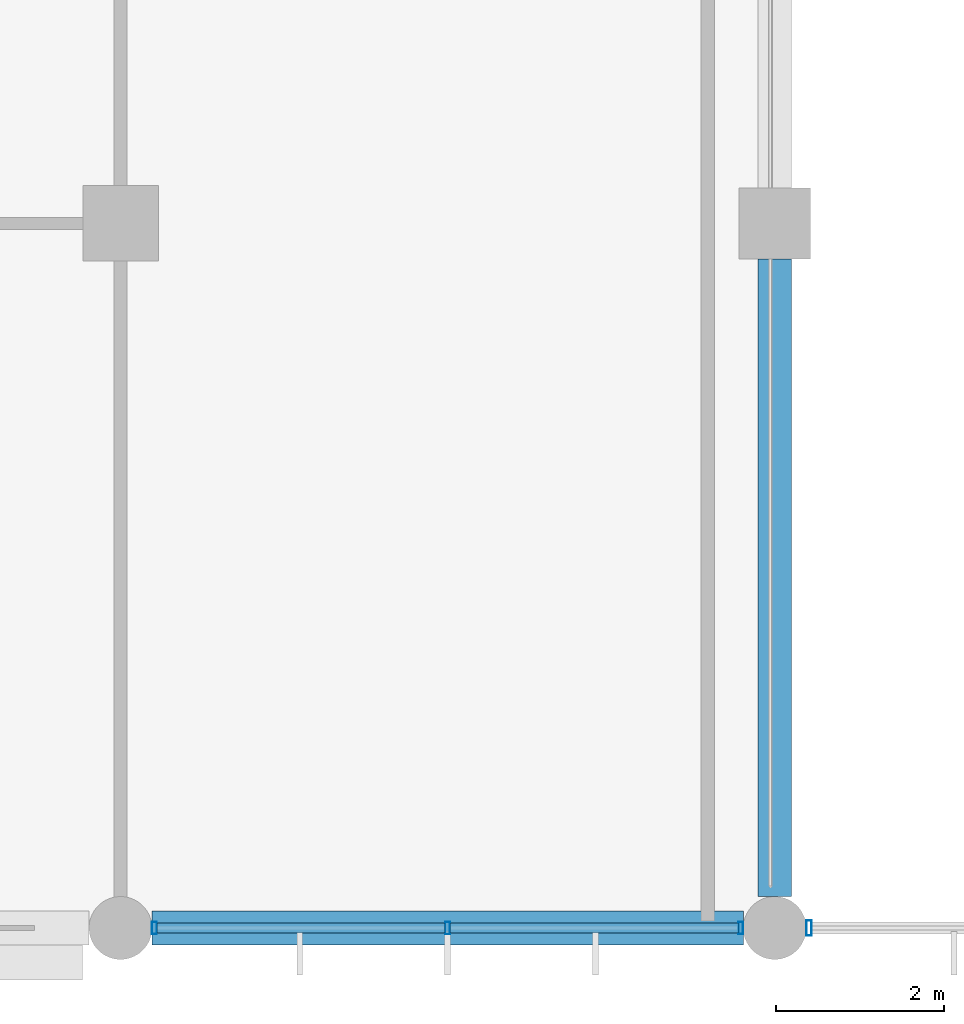
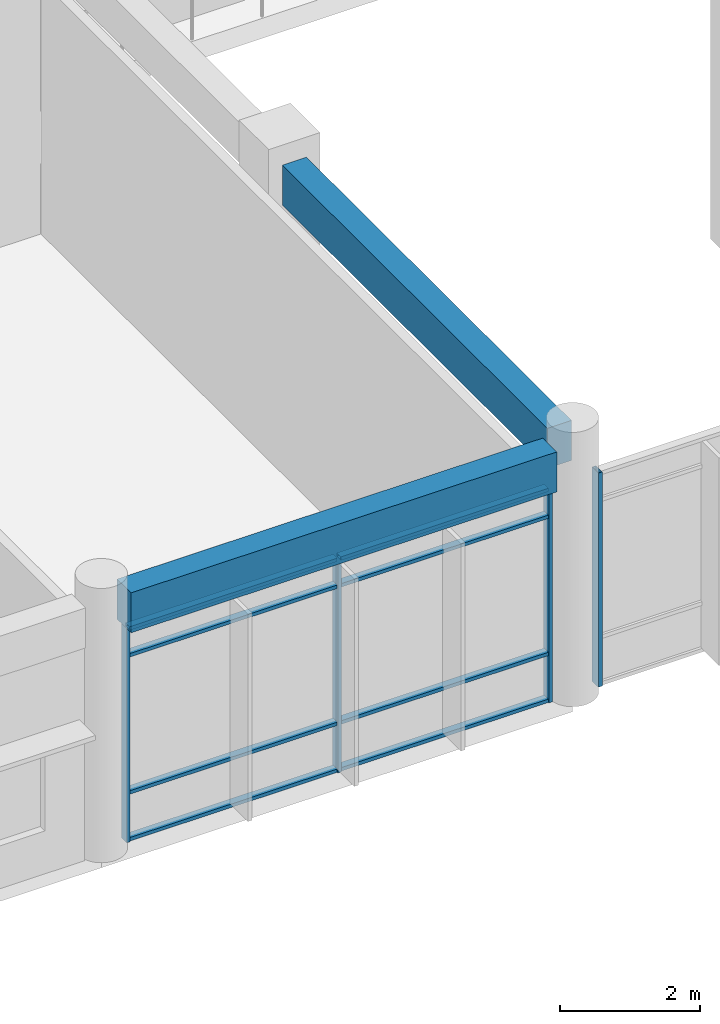
# One storey, part 3 of 79: 12 members, 2 beams, 2 elements without a shape of their own.
"""IFC4 building model written with IfcOpenShell, lengths in metres."""

from ifc_helpers import new_model, si_unit, direction, frame, origin, origin_2d, place, context, subcontext, project, spatial, rectangle, hollow_rectangle, extrude, material, material_profile, profile_set, type_object, element, aggregate, save


model = new_model("IFC4")

# Units and contexts
model_context = context("Model", 3, precision=1e-05, world=origin(), true_north=direction((0.0, 1.0)))
body_context = subcontext(model_context, "Body", "Model", "MODEL_VIEW")
ifc_project = project(units=[si_unit("LENGTHUNIT", "METRE"), si_unit("AREAUNIT", "SQUARE_METRE"), si_unit("VOLUMEUNIT", "CUBIC_METRE"), si_unit("PLANEANGLEUNIT", "RADIAN"), si_unit("MASSUNIT", "GRAM", prefix="KILO"), si_unit("THERMODYNAMICTEMPERATUREUNIT", "KELVIN"), si_unit("POWERUNIT", "WATT")], contexts=[model_context])

# Site, building, storey
site_placement = place(None, origin())
site = spatial("IfcSite", under=ifc_project, at=site_placement, CompositionType="ELEMENT")
building_placement = place(site_placement, origin())
building = spatial("IfcBuilding", under=site, at=building_placement, Name="Srebrne Nadtorze General Hospital", CompositionType="ELEMENT")
storey_placement = place(building_placement, frame((0.0, 0.0, 4.800048828125)))
storey = spatial("IfcBuildingStorey", under=building, at=storey_placement, Name="L01", CompositionType="ELEMENT", Elevation=4.800048828125)

# Curtain wall, members
ifc_material_1 = material(Name="Anodised Aluminium", Category="aluminium")
curtain_wall_type = type_object("IfcCurtainWallType", Name="Unitised curtain wall 7050x3750", PredefinedType="NOTDEFINED", material=ifc_material_1)
curtain_wall_1_placement = place(storey_placement, origin())
curtain_wall_1 = element("IfcCurtainWall", 1, at=curtain_wall_1_placement, inside=storey, type_object=curtain_wall_type, Name="Curtain wall CW-030", PredefinedType="NOTDEFINED")
ifc_material_2 = material(Name="Anodised Aluminium", Category="aluminium")
ifc_material_profile_1 = material_profile(ifc_material_2, hollow_rectangle(XDim=0.06005859375, YDim=0.14990234375, WallThickness=0.00390625, at=origin_2d()), Name="AL-MUL-60x150")
ifc_profile_set_1 = profile_set([ifc_material_profile_1], Name="Anodised Aluminium")
member_type_1 = type_object("IfcMemberType", Name="Curtain mullion 60x150", PredefinedType="MULLION", material=ifc_profile_set_1)
member_1_placement = place(storey_placement, frame((55.0048828125, 0.0, 0.0), z_axis=(0.0, 0.0, 1.0), x_axis=(1.0, 0.0, 0.0)))
member_1 = element("IfcMember", 2, at=member_1_placement, type_object=member_type_1, Name="CW-030 mullion 1", PredefinedType="MULLION", context=body_context, shape_type="SweptSolid", body=[
    extrude(hollow_rectangle(XDim=0.06005859375, YDim=0.14990234375, WallThickness=0.00390625, at=origin_2d()), origin(), (0.0, 0.0, 1.0), 3.75),
])
member_2_placement = place(storey_placement, frame((58.5, 0.0, 0.0), z_axis=(0.0, 0.0, 1.0), x_axis=(1.0, 0.0, 0.0)))
member_2 = element("IfcMember", 3, at=member_2_placement, type_object=member_type_1, Name="CW-030 mullion 2", PredefinedType="MULLION", context=body_context, shape_type="SweptSolid", body=[
    extrude(hollow_rectangle(XDim=0.06005859375, YDim=0.14990234375, WallThickness=0.00390625, at=origin_2d()), origin(), (0.0, 0.0, 1.0), 3.75),
])
member_3_placement = place(storey_placement, frame((61.9951171875, 0.0, 0.0), z_axis=(0.0, 0.0, 1.0), x_axis=(1.0, 0.0, 0.0)))
member_3 = element("IfcMember", 4, at=member_3_placement, type_object=member_type_1, Name="CW-030 mullion 3", PredefinedType="MULLION", context=body_context, shape_type="SweptSolid", body=[
    extrude(hollow_rectangle(XDim=0.06005859375, YDim=0.14990234375, WallThickness=0.00390625, at=origin_2d()), origin(), (0.0, 0.0, 1.0), 3.75),
])

# Curtain wall, member
curtain_wall_2_placement = place(storey_placement, origin())
curtain_wall_2 = element("IfcCurtainWall", 5, at=curtain_wall_2_placement, inside=storey, type_object=curtain_wall_type, Name="Curtain wall CW-031", PredefinedType="NOTDEFINED")
ifc_material_3 = material(Name="Anodised Aluminium", Category="aluminium")
ifc_material_profile_2 = material_profile(ifc_material_3, hollow_rectangle(XDim=0.06494140625, YDim=0.179931640625, WallThickness=0.00390625, at=origin_2d()), Name="AL-MUL-65x180")
ifc_profile_set_2 = profile_set([ifc_material_profile_2], Name="Anodised Aluminium")
member_type_2 = type_object("IfcMemberType", Name="Curtain mullion 65x180", PredefinedType="MULLION", material=ifc_profile_set_2)
member_4_placement = place(storey_placement, frame((62.8076171875, 0.0, 0.0), z_axis=(0.0, 0.0, 1.0), x_axis=(1.0, 0.0, 0.0)))
member_4 = element("IfcMember", 6, at=member_4_placement, type_object=member_type_2, Name="CW-031 mullion 1", PredefinedType="MULLION", context=body_context, shape_type="SweptSolid", body=[
    extrude(hollow_rectangle(XDim=0.06494140625, YDim=0.179931640625, WallThickness=0.00390625, at=origin_2d()), origin(), (0.0, 0.0, 1.0), 3.75),
])
aggregate(curtain_wall_2, [member_4])

# Member
ifc_material_4 = material(Name="Anodised Aluminium", Category="aluminium")
ifc_material_profile_3 = material_profile(ifc_material_4, hollow_rectangle(XDim=0.06005859375, YDim=0.1201171875, WallThickness=0.00390625, at=origin_2d()), Name="AL-TRN-60x120")
ifc_profile_set_3 = profile_set([ifc_material_profile_3], Name="Anodised Aluminium")
member_type_3 = type_object("IfcMemberType", Name="Curtain transom 60x120", PredefinedType="USERDEFINED", material=ifc_profile_set_3)
member_5_placement = place(storey_placement, frame((55.034912109375, 0.0, 0.030029296875), z_axis=(1.0, 0.0, 0.0), x_axis=(0.0, 0.0, 1.0)))
member_5 = element("IfcMember", 7, at=member_5_placement, type_object=member_type_3, Name="CW-030 transom 1.1", ObjectType="TRANSOM", PredefinedType="USERDEFINED", context=body_context, shape_type="SweptSolid", body=[
    extrude(hollow_rectangle(XDim=0.06005859375, YDim=0.1201171875, WallThickness=0.00390625, at=origin_2d()), origin(), (0.0, 0.0, 1.0), 3.43505859375),
])

member_6_placement = place(storey_placement, frame((55.034912109375, 0.0, 0.849853515625), z_axis=(1.0, 0.0, 0.0), x_axis=(0.0, 0.0, 1.0)))
member_6 = element("IfcMember", 8, at=member_6_placement, type_object=member_type_3, Name="CW-030 transom 1.2", ObjectType="TRANSOM", PredefinedType="USERDEFINED", context=body_context, shape_type="SweptSolid", body=[
    extrude(hollow_rectangle(XDim=0.06005859375, YDim=0.1201171875, WallThickness=0.00390625, at=origin_2d()), origin(), (0.0, 0.0, 1.0), 3.43505859375),
])

member_7_placement = place(storey_placement, frame((55.034912109375, 0.0, 3.25), z_axis=(1.0, 0.0, 0.0), x_axis=(0.0, 0.0, 1.0)))
member_7 = element("IfcMember", 9, at=member_7_placement, type_object=member_type_3, Name="CW-030 transom 1.3", ObjectType="TRANSOM", PredefinedType="USERDEFINED", context=body_context, shape_type="SweptSolid", body=[
    extrude(hollow_rectangle(XDim=0.06005859375, YDim=0.1201171875, WallThickness=0.00390625, at=origin_2d()), origin(), (0.0, 0.0, 1.0), 3.43505859375),
])

member_8_placement = place(storey_placement, frame((55.034912109375, 0.0, 3.719970703125), z_axis=(1.0, 0.0, 0.0), x_axis=(0.0, 0.0, 1.0)))
member_8 = element("IfcMember", 10, at=member_8_placement, type_object=member_type_3, Name="CW-030 transom 1.4", ObjectType="TRANSOM", PredefinedType="USERDEFINED", context=body_context, shape_type="SweptSolid", body=[
    extrude(hollow_rectangle(XDim=0.06005859375, YDim=0.1201171875, WallThickness=0.00390625, at=origin_2d()), origin(), (0.0, 0.0, 1.0), 3.43505859375),
])

member_9_placement = place(storey_placement, frame((58.530029296875, 0.0, 0.030029296875), z_axis=(1.0, 0.0, 0.0), x_axis=(0.0, 0.0, 1.0)))
member_9 = element("IfcMember", 11, at=member_9_placement, type_object=member_type_3, Name="CW-030 transom 2.1", ObjectType="TRANSOM", PredefinedType="USERDEFINED", context=body_context, shape_type="SweptSolid", body=[
    extrude(hollow_rectangle(XDim=0.06005859375, YDim=0.1201171875, WallThickness=0.00390625, at=origin_2d()), origin(), (0.0, 0.0, 1.0), 3.43505859375),
])

member_10_placement = place(storey_placement, frame((58.530029296875, 0.0, 0.849853515625), z_axis=(1.0, 0.0, 0.0), x_axis=(0.0, 0.0, 1.0)))
member_10 = element("IfcMember", 12, at=member_10_placement, type_object=member_type_3, Name="CW-030 transom 2.2", ObjectType="TRANSOM", PredefinedType="USERDEFINED", context=body_context, shape_type="SweptSolid", body=[
    extrude(hollow_rectangle(XDim=0.06005859375, YDim=0.1201171875, WallThickness=0.00390625, at=origin_2d()), origin(), (0.0, 0.0, 1.0), 3.43505859375),
])

member_11_placement = place(storey_placement, frame((58.530029296875, 0.0, 3.25), z_axis=(1.0, 0.0, 0.0), x_axis=(0.0, 0.0, 1.0)))
member_11 = element("IfcMember", 13, at=member_11_placement, type_object=member_type_3, Name="CW-030 transom 2.3", ObjectType="TRANSOM", PredefinedType="USERDEFINED", context=body_context, shape_type="SweptSolid", body=[
    extrude(hollow_rectangle(XDim=0.06005859375, YDim=0.1201171875, WallThickness=0.00390625, at=origin_2d()), origin(), (0.0, 0.0, 1.0), 3.43505859375),
])

member_12_placement = place(storey_placement, frame((58.530029296875, 0.0, 3.719970703125), z_axis=(1.0, 0.0, 0.0), x_axis=(0.0, 0.0, 1.0)))
member_12 = element("IfcMember", 14, at=member_12_placement, type_object=member_type_3, Name="CW-030 transom 2.4", ObjectType="TRANSOM", PredefinedType="USERDEFINED", context=body_context, shape_type="SweptSolid", body=[
    extrude(hollow_rectangle(XDim=0.06005859375, YDim=0.1201171875, WallThickness=0.00390625, at=origin_2d()), origin(), (0.0, 0.0, 1.0), 3.43505859375),
])

aggregate(curtain_wall_1, [member_1, member_2, member_3, member_5, member_6, member_7, member_8, member_9, member_10, member_11, member_12])

# Beams
ifc_material_5 = material(Name="Concrete C40/50", Category="concrete")
ifc_material_profile_4 = material_profile(ifc_material_5, rectangle(XDim=0.39990234375, YDim=0.699951171875, at=origin_2d()), Name="RC-BM-400x700")
ifc_profile_set_4 = profile_set([ifc_material_profile_4], Name="Concrete C40/50")
beam_type = type_object("IfcBeamType", Name="Edge beam RC 400x700", PredefinedType="BEAM", material=ifc_profile_set_4)
beam_1_placement = place(storey_placement, frame((54.97509765625, 0.0, 4.099853515625), z_axis=(1.0, 0.0, 0.0), x_axis=(0.0, 1.0, 0.0)))
element("IfcBeam", 15, at=beam_1_placement, inside=storey, type_object=beam_type, Name="Beam BM-L01-X-0370", PredefinedType="BEAM", context=body_context, shape_type="SweptSolid", body=[
    extrude(rectangle(XDim=0.39990234375, YDim=0.699951171875, at=origin_2d()), origin(), (0.0, 0.0, 1.0), 7.0498046875),
])
beam_2_placement = place(storey_placement, frame((62.39990234375, 0.375, 4.099853515625), z_axis=(0.0, 1.0, 0.0), x_axis=(-1.0, 0.0, 0.0)))
element("IfcBeam", 16, at=beam_2_placement, inside=storey, type_object=beam_type, Name="Beam BM-L01-Y-0496", PredefinedType="BEAM", context=body_context, shape_type="SweptSolid", body=[
    extrude(rectangle(XDim=0.39990234375, YDim=0.699951171875, at=origin_2d()), origin(), (0.0, 0.0, 1.0), 7.60009765625),
])

save(model, "model.ifc")
